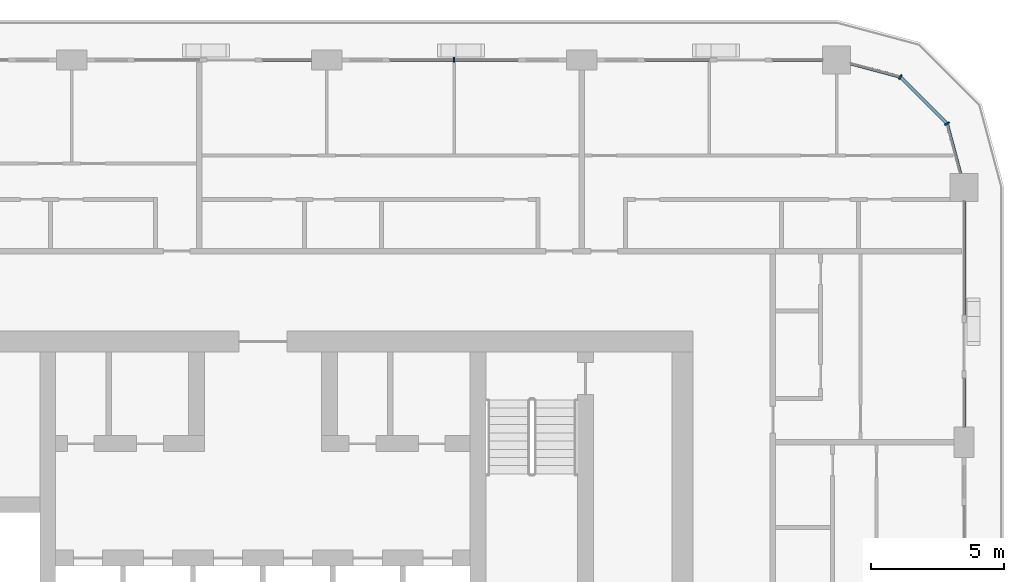
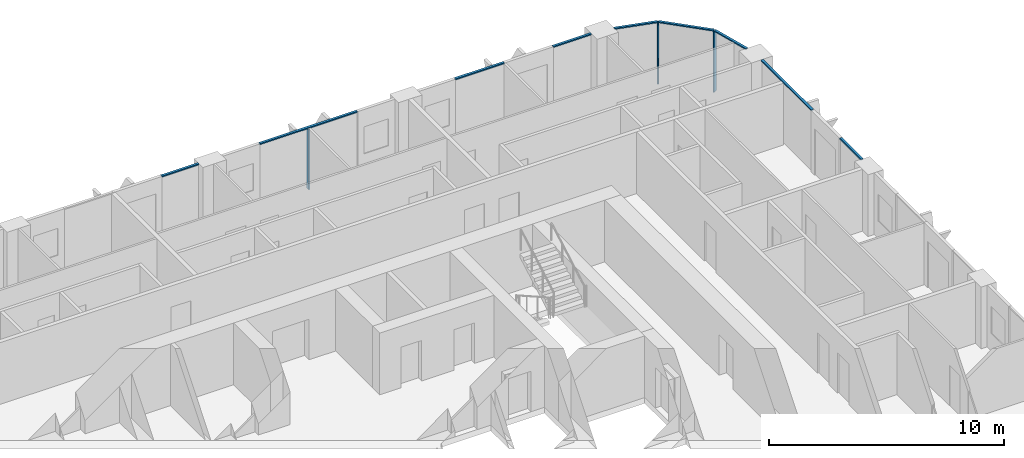
# One storey, part 6 of 22: 12 members, 5 elements without a shape of their own.
"""IFC4 building model written with IfcOpenShell, lengths in metres."""

from ifc_helpers import new_model, si_unit, direction, frame, origin, origin_2d, place, context, subcontext, project, spatial, rectangle, extrude, material, layer, layer_set, material_profile, profile_set, type_object, element, aggregate, save


model = new_model("IFC4")

# Units and contexts
model_context = context("Model", 3, precision=1e-05, world=origin(), true_north=direction((0.0, 1.0)))
body_context = subcontext(model_context, "Body", "Model", "MODEL_VIEW")
ifc_project = project(units=[si_unit("LENGTHUNIT", "METRE"), si_unit("AREAUNIT", "SQUARE_METRE"), si_unit("VOLUMEUNIT", "CUBIC_METRE"), si_unit("PLANEANGLEUNIT", "RADIAN"), si_unit("MASSUNIT", "GRAM", prefix="KILO")], contexts=[model_context])

# Site, building, storey
site_placement = place(None, origin())
site = spatial("IfcSite", under=ifc_project, at=site_placement, CompositionType="ELEMENT")
building_placement = place(site_placement, origin())
building = spatial("IfcBuilding", under=site, at=building_placement, Name="Madar Terraces", CompositionType="ELEMENT")
storey_placement = place(building_placement, frame((0.0, 0.0, 156.0)))
storey = spatial("IfcBuildingStorey", under=building, at=storey_placement, Name="L40", CompositionType="ELEMENT", Elevation=156.0)

# Curtain wall, member
ifc_material_1 = material(Name="Glass, ceramic frit dark grey, with black aluminium frame", Category="aluminium")
ifc_layer = layer(ifc_material_1, 0.199951171875)
ifc_layer_set = layer_set([ifc_layer], Name="Facade curtain wall, fritted glass")
curtain_wall_type = type_object("IfcCurtainWallType", Name="Facade curtain wall, fritted glass", PredefinedType="NOTDEFINED", material=ifc_layer_set)
curtain_wall_1_placement = place(storey_placement, origin())
curtain_wall_1 = element("IfcCurtainWall", 1, at=curtain_wall_1_placement, inside=storey, type_object=curtain_wall_type, Name="Outer skin curtain wall north bay 2", PredefinedType="NOTDEFINED")
ifc_material_2 = material(Name="Aluminium, black anodised", Category="aluminium")
ifc_material_profile_1 = material_profile(ifc_material_2, rectangle(XDim=0.199951171875, YDim=0.06005859375, at=origin_2d()), Name="Facade mullion 60x200")
ifc_profile_set_1 = profile_set([ifc_material_profile_1], Name="Aluminium, black anodised")
member_type_1 = type_object("IfcMemberType", Name="Facade mullion 60x200", PredefinedType="MULLION", material=ifc_profile_set_1)
member_1_placement = place(storey_placement, frame((38.39990234375, 48.0, 0.0), z_axis=(0.0, 0.0, 1.0), x_axis=(0.0, -1.0, 0.0)))
member_1 = element("IfcMember", 2, at=member_1_placement, type_object=member_type_1, Name="Mullion 1", PredefinedType="MULLION", context=body_context, shape_type="SweptSolid", body=[
    extrude(rectangle(XDim=0.199951171875, YDim=0.06005859375, at=origin_2d()), origin(), (0.0, 0.0, 1.0), 3.139892578125),
])

# Curtain wall, members
curtain_wall_2_placement = place(storey_placement, origin())
curtain_wall_2 = element("IfcCurtainWall", 3, at=curtain_wall_2_placement, inside=storey, type_object=curtain_wall_type, Name="Outer skin curtain wall north-east corner", PredefinedType="NOTDEFINED")
member_2_placement = place(storey_placement, frame((56.95703125, 45.60009765625, 0.0), z_axis=(0.0, 0.0, 1.0), x_axis=(-0.866025409797, -0.499999989586, 0.0)))
member_2 = element("IfcMember", 4, at=member_2_placement, type_object=member_type_1, Name="Mullion 1", PredefinedType="MULLION", context=body_context, shape_type="SweptSolid", body=[
    extrude(rectangle(XDim=0.199951171875, YDim=0.06005859375, at=origin_2d()), origin(), (0.0, 0.0, 1.0), 3.139892578125),
])
member_3_placement = place(storey_placement, frame((55.199951171875, 47.35693359375, 0.0), z_axis=(0.0, 0.0, 1.0), x_axis=(-0.499999989586, -0.866025409797, 0.0)))
member_3 = element("IfcMember", 5, at=member_3_placement, type_object=member_type_1, Name="Mullion 2", PredefinedType="MULLION", context=body_context, shape_type="SweptSolid", body=[
    extrude(rectangle(XDim=0.199951171875, YDim=0.06005859375, at=origin_2d()), origin(), (0.0, 0.0, 1.0), 3.139892578125),
])

curtain_wall_3_placement = place(storey_placement, origin())
curtain_wall_3 = element("IfcCurtainWall", 6, at=curtain_wall_3_placement, inside=storey, type_object=curtain_wall_type, Name="Outer skin curtain wall east bay 4", PredefinedType="NOTDEFINED")
ifc_material_3 = material(Name="Aluminium, black anodised", Category="aluminium")
ifc_material_profile_2 = material_profile(ifc_material_3, rectangle(XDim=0.1201171875, YDim=0.06005859375, at=origin_2d()), Name="Facade transom 60x120")
ifc_profile_set_2 = profile_set([ifc_material_profile_2], Name="Aluminium, black anodised")
member_type_2 = type_object("IfcMemberType", Name="Facade transom 60x120", PredefinedType="USERDEFINED", material=ifc_profile_set_2)
member_4_placement = place(storey_placement, frame((57.60009765625, 34.175048828125, 3.169921875), z_axis=(0.0, 1.0, 0.0), x_axis=(-1.0, 0.0, 0.0)))
member_4 = element("IfcMember", 7, at=member_4_placement, type_object=member_type_2, Name="Transom 1", ObjectType="TRANSOM", PredefinedType="USERDEFINED", context=body_context, shape_type="SweptSolid", body=[
    extrude(rectangle(XDim=0.1201171875, YDim=0.06005859375, at=origin_2d()), origin(), (0.0, 0.0, 1.0), 1.824951171875),
])
member_5_placement = place(storey_placement, frame((57.60009765625, 38.39990234375, 3.169921875), z_axis=(0.0, 1.0, 0.0), x_axis=(-1.0, 0.0, 0.0)))
member_5 = element("IfcMember", 8, at=member_5_placement, type_object=member_type_2, Name="Transom 2", ObjectType="TRANSOM", PredefinedType="USERDEFINED", context=body_context, shape_type="SweptSolid", body=[
    extrude(rectangle(XDim=0.1201171875, YDim=0.06005859375, at=origin_2d()), origin(), (0.0, 0.0, 1.0), 4.275146484375),
])
aggregate(curtain_wall_3, [member_4, member_5])

curtain_wall_4_placement = place(storey_placement, origin())
curtain_wall_4 = element("IfcCurtainWall", 9, at=curtain_wall_4_placement, inside=storey, type_object=curtain_wall_type, Name="Outer skin curtain wall north bay 1", PredefinedType="NOTDEFINED")
member_6_placement = place(storey_placement, frame((52.27490234375, 48.0, 3.169921875), z_axis=(-1.0, 0.0, 0.0), x_axis=(0.0, -1.0, 0.0)))
member_6 = element("IfcMember", 10, at=member_6_placement, type_object=member_type_2, Name="Transom 1", ObjectType="TRANSOM", PredefinedType="USERDEFINED", context=body_context, shape_type="SweptSolid", body=[
    extrude(rectangle(XDim=0.1201171875, YDim=0.06005859375, at=origin_2d()), origin(), (0.0, 0.0, 1.0), 1.875),
])
member_7_placement = place(storey_placement, frame((48.0, 48.0, 3.169921875), z_axis=(-1.0, 0.0, 0.0), x_axis=(0.0, -1.0, 0.0)))
member_7 = element("IfcMember", 11, at=member_7_placement, type_object=member_type_2, Name="Transom 2", ObjectType="TRANSOM", PredefinedType="USERDEFINED", context=body_context, shape_type="SweptSolid", body=[
    extrude(rectangle(XDim=0.1201171875, YDim=0.06005859375, at=origin_2d()), origin(), (0.0, 0.0, 1.0), 2.39990234375),
])
aggregate(curtain_wall_4, [member_6, member_7])

# Member
member_8_placement = place(storey_placement, frame((40.800048828125, 48.0, 3.169921875), z_axis=(-1.0, 0.0, 0.0), x_axis=(0.0, -1.0, 0.0)))
member_8 = element("IfcMember", 12, at=member_8_placement, type_object=member_type_2, Name="Transom 1", ObjectType="TRANSOM", PredefinedType="USERDEFINED", context=body_context, shape_type="SweptSolid", body=[
    extrude(rectangle(XDim=0.1201171875, YDim=0.06005859375, at=origin_2d()), origin(), (0.0, 0.0, 1.0), 4.800048828125),
])

aggregate(curtain_wall_1, [member_1, member_8])

# Curtain wall, member
curtain_wall_5_placement = place(storey_placement, origin())
curtain_wall_5 = element("IfcCurtainWall", 13, at=curtain_wall_5_placement, inside=storey, type_object=curtain_wall_type, Name="Outer skin curtain wall north bay 3", PredefinedType="NOTDEFINED")
member_9_placement = place(storey_placement, frame((33.02490234375, 48.0, 3.169921875), z_axis=(-1.0, 0.0, 0.0), x_axis=(0.0, -1.0, 0.0)))
member_9 = element("IfcMember", 14, at=member_9_placement, type_object=member_type_2, Name="Transom 1", ObjectType="TRANSOM", PredefinedType="USERDEFINED", context=body_context, shape_type="SweptSolid", body=[
    extrude(rectangle(XDim=0.1201171875, YDim=0.06005859375, at=origin_2d()), origin(), (0.0, 0.0, 1.0), 1.824951171875),
])
aggregate(curtain_wall_5, [member_9])

# Member
member_10_placement = place(storey_placement, frame((57.459228515625, 43.72509765625, 3.169921875), z_axis=(-0.258823354654, 0.965924671538, 0.0), x_axis=(-0.965924671538, -0.258823354654, 0.0)))
member_10 = element("IfcMember", 15, at=member_10_placement, type_object=member_type_2, Name="Transom 1", ObjectType="TRANSOM", PredefinedType="USERDEFINED", context=body_context, shape_type="SweptSolid", body=[
    extrude(rectangle(XDim=0.1201171875, YDim=0.06005859375, at=origin_2d()), origin(), (0.0, 0.0, 1.0), 1.9111328125),
])

member_11_placement = place(storey_placement, frame((56.935791015625, 45.62109375, 3.169921875), z_axis=(-0.707106781187, 0.707106781187, 0.0), x_axis=(-0.707106781187, -0.707106781187, 0.0)))
member_11 = element("IfcMember", 16, at=member_11_placement, type_object=member_type_2, Name="Transom 2", ObjectType="TRANSOM", PredefinedType="USERDEFINED", context=body_context, shape_type="SweptSolid", body=[
    extrude(rectangle(XDim=0.1201171875, YDim=0.06005859375, at=origin_2d()), origin(), (0.0, 0.0, 1.0), 2.4248046875),
])

member_12_placement = place(storey_placement, frame((55.171142578125, 47.36474609375, 3.169921875), z_axis=(-0.965933227928, 0.25879142023, 0.0), x_axis=(-0.25879142023, -0.965933227928, 0.0)))
member_12 = element("IfcMember", 17, at=member_12_placement, type_object=member_type_2, Name="Transom 3", ObjectType="TRANSOM", PredefinedType="USERDEFINED", context=body_context, shape_type="SweptSolid", body=[
    extrude(rectangle(XDim=0.1201171875, YDim=0.06005859375, at=origin_2d()), origin(), (0.0, 0.0, 1.0), 1.911376953125),
])

aggregate(curtain_wall_2, [member_2, member_10, member_3, member_11, member_12])

save(model, "model.ifc")
